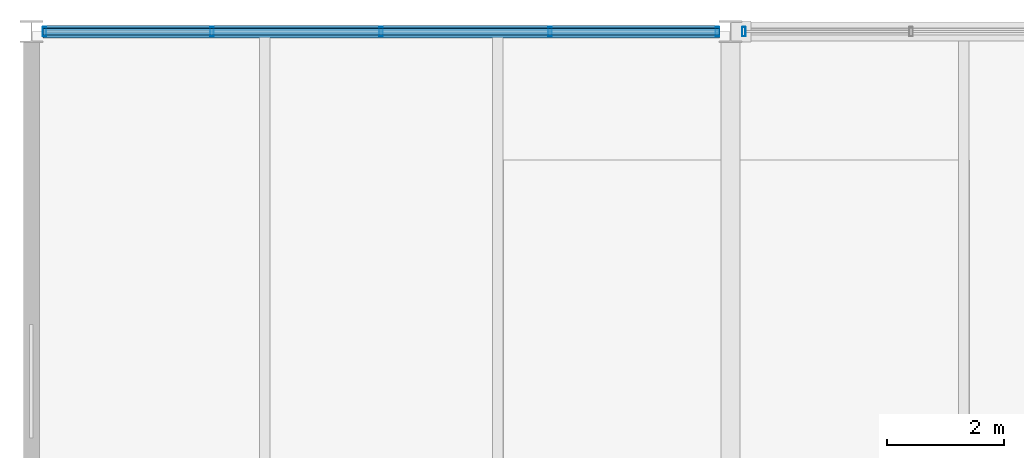
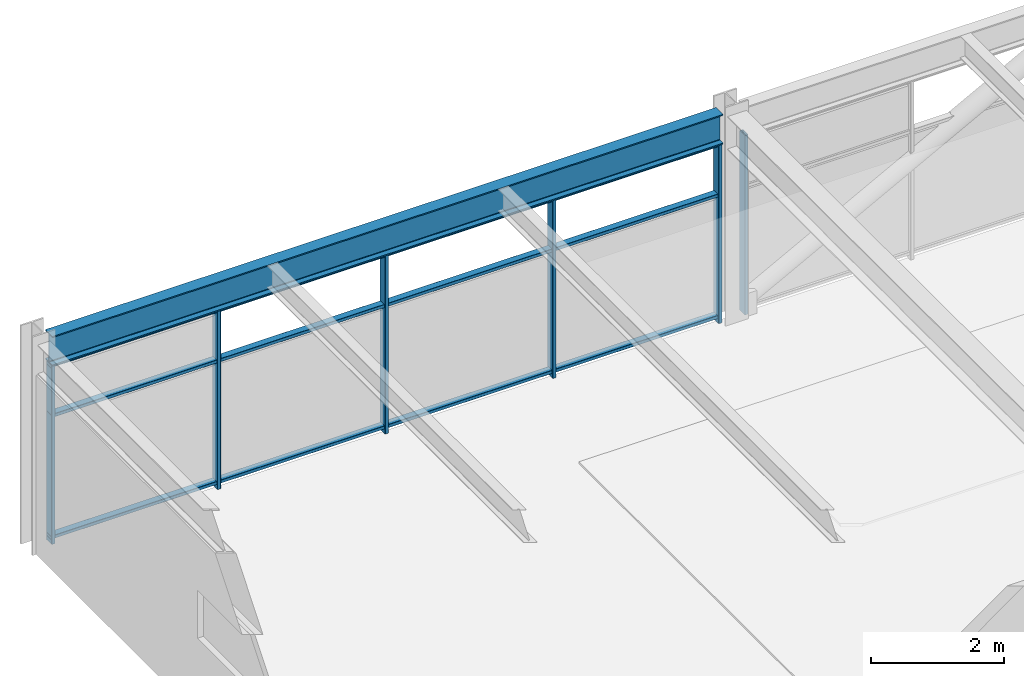
# One storey, part 18 of 51: 9 members, 1 beam, 2 elements without a shape of their own.
"""IFC4 building model written with IfcOpenShell, lengths in metres."""

from ifc_helpers import new_model, si_unit, direction, frame, origin, origin_2d, place, context, subcontext, project, spatial, hollow_rectangle, i_section, extrude, material, material_profile, profile_set, type_object, element, aggregate, save


model = new_model("IFC4")

# Units and contexts
model_context = context("Model", 3, precision=1e-05, world=origin(), true_north=direction((0.0, 1.0)))
body_context = subcontext(model_context, "Body", "Model", "MODEL_VIEW")
ifc_project = project(units=[si_unit("LENGTHUNIT", "METRE"), si_unit("AREAUNIT", "SQUARE_METRE"), si_unit("VOLUMEUNIT", "CUBIC_METRE"), si_unit("PLANEANGLEUNIT", "RADIAN"), si_unit("MASSUNIT", "GRAM", prefix="KILO")], contexts=[model_context])

# Site, building, storey
site_placement = place(None, origin())
site = spatial("IfcSite", under=ifc_project, at=site_placement, CompositionType="ELEMENT")
building_placement = place(site_placement, origin())
building = spatial("IfcBuilding", under=site, at=building_placement, Name="Girod Span Mobility Hub", CompositionType="ELEMENT")
storey_placement = place(building_placement, frame((0.0, 0.0, 41.60009765625)))
storey = spatial("IfcBuildingStorey", under=building, at=storey_placement, Name="L10", CompositionType="ELEMENT", Elevation=41.60009765625)

# Beam
ifc_material_1 = material(Name="Steel A992 Grade 50", Category="steel")
ifc_material_profile_1 = material_profile(ifc_material_1, i_section(OverallWidth=0.2119140625, OverallDepth=0.5439453125, WebThickness=0.01318359375, FlangeThickness=0.021240234375, FilletRadius=0.014892578125, at=origin_2d()), Name="W21X83")
ifc_profile_set_1 = profile_set([ifc_material_profile_1], Name="Steel A992 Grade 50")
beam_type = type_object("IfcBeamType", Name="BM-STL-W21X83", PredefinedType="SPANDREL", material=ifc_profile_set_1)
beam_placement = place(storey_placement, frame((24.194091796875, 69.0, 3.552978515625), z_axis=(1.0, 0.0, 0.0), x_axis=(0.0, 1.0, 0.0)))
element("IfcBeam", 1, at=beam_placement, inside=storey, type_object=beam_type, Name="Girder 3-4/F L10", PredefinedType="SPANDREL", context=body_context, shape_type="SweptSolid", body=[
    extrude(i_section(OverallWidth=0.2119140625, OverallDepth=0.5439453125, WebThickness=0.01318359375, FlangeThickness=0.021240234375, FilletRadius=0.014892578125, at=origin_2d()), origin(), (0.0, 0.0, 1.0), 11.61181640625),
])

# Curtain wall, members
ifc_material_2 = material(Name="Thermally Broken Anodised Aluminium", Category="aluminium")
curtain_wall_type = type_object("IfcCurtainWallType", Name="CW-1161X328", PredefinedType="USERDEFINED", material=ifc_material_2)
curtain_wall_1_placement = place(storey_placement, origin())
curtain_wall_1 = element("IfcCurtainWall", 2, at=curtain_wall_1_placement, inside=storey, type_object=curtain_wall_type, Name="Unitised Curtain Wall CW-L10-N03 L10", ObjectType="UNITISED CURTAIN WALL", PredefinedType="USERDEFINED")
ifc_material_3 = material(Name="Thermally Broken Anodised Aluminium", Category="aluminium")
ifc_material_profile_2 = material_profile(ifc_material_3, hollow_rectangle(XDim=0.159912109375, YDim=0.06005859375, WallThickness=0.00341796875, InnerFilletRadius=0.00341796875, OuterFilletRadius=0.007080078125, at=origin_2d()), Name="CW-ML-60X160")
ifc_profile_set_2 = profile_set([ifc_material_profile_2], Name="Thermally Broken Anodised Aluminium")
member_type_1 = type_object("IfcMemberType", Name="CWM-ML-3", PredefinedType="MULLION", material=ifc_profile_set_2)
member_1_placement = place(storey_placement, frame((24.22705078125, 69.0, 0.0), z_axis=(0.0, 0.0, 1.0), x_axis=(0.0, 1.0, 0.0)))
member_1 = element("IfcMember", 3, at=member_1_placement, type_object=member_type_1, Name="Curtain Wall Mullion CW-L10-N03-M0", PredefinedType="MULLION", context=body_context, shape_type="SweptSolid", body=[
    extrude(hollow_rectangle(XDim=0.159912109375, YDim=0.06005859375, WallThickness=0.00341796875, InnerFilletRadius=0.00341796875, OuterFilletRadius=0.007080078125, at=origin_2d()), origin(), (0.0, 0.0, 1.0), 3.281005859375),
])
member_2_placement = place(storey_placement, frame((27.097412109375, 69.0, 0.0), z_axis=(0.0, 0.0, 1.0), x_axis=(0.0, 1.0, 0.0)))
member_2 = element("IfcMember", 4, at=member_2_placement, type_object=member_type_1, Name="Curtain Wall Mullion CW-L10-N03-M1", PredefinedType="MULLION", context=body_context, shape_type="SweptSolid", body=[
    extrude(hollow_rectangle(XDim=0.159912109375, YDim=0.06005859375, WallThickness=0.00341796875, InnerFilletRadius=0.00341796875, OuterFilletRadius=0.007080078125, at=origin_2d()), origin(), (0.0, 0.0, 1.0), 3.281005859375),
])
member_3_placement = place(storey_placement, frame((30.0, 69.0, 0.0), z_axis=(0.0, 0.0, 1.0), x_axis=(0.0, 1.0, 0.0)))
member_3 = element("IfcMember", 5, at=member_3_placement, type_object=member_type_1, Name="Curtain Wall Mullion CW-L10-N03-M2", PredefinedType="MULLION", context=body_context, shape_type="SweptSolid", body=[
    extrude(hollow_rectangle(XDim=0.159912109375, YDim=0.06005859375, WallThickness=0.00341796875, InnerFilletRadius=0.00341796875, OuterFilletRadius=0.007080078125, at=origin_2d()), origin(), (0.0, 0.0, 1.0), 3.281005859375),
])
member_4_placement = place(storey_placement, frame((32.902587890625, 69.0, 0.0), z_axis=(0.0, 0.0, 1.0), x_axis=(0.0, 1.0, 0.0)))
member_4 = element("IfcMember", 6, at=member_4_placement, type_object=member_type_1, Name="Curtain Wall Mullion CW-L10-N03-M3", PredefinedType="MULLION", context=body_context, shape_type="SweptSolid", body=[
    extrude(hollow_rectangle(XDim=0.159912109375, YDim=0.06005859375, WallThickness=0.00341796875, InnerFilletRadius=0.00341796875, OuterFilletRadius=0.007080078125, at=origin_2d()), origin(), (0.0, 0.0, 1.0), 3.281005859375),
])
member_5_placement = place(storey_placement, frame((35.77294921875, 69.0, 0.0), z_axis=(0.0, 0.0, 1.0), x_axis=(0.0, 1.0, 0.0)))
member_5 = element("IfcMember", 7, at=member_5_placement, type_object=member_type_1, Name="Curtain Wall Mullion CW-L10-N03-M4", PredefinedType="MULLION", context=body_context, shape_type="SweptSolid", body=[
    extrude(hollow_rectangle(XDim=0.159912109375, YDim=0.06005859375, WallThickness=0.00341796875, InnerFilletRadius=0.00341796875, OuterFilletRadius=0.007080078125, at=origin_2d()), origin(), (0.0, 0.0, 1.0), 3.281005859375),
])

# Curtain wall, member
curtain_wall_2_placement = place(storey_placement, origin())
curtain_wall_2 = element("IfcCurtainWall", 8, at=curtain_wall_2_placement, inside=storey, type_object=curtain_wall_type, Name="Unitised Curtain Wall CW-L10-N04 L10", ObjectType="UNITISED CURTAIN WALL", PredefinedType="USERDEFINED")
member_6_placement = place(storey_placement, frame((36.22705078125, 69.0, 0.0), z_axis=(0.0, 0.0, 1.0), x_axis=(0.0, 1.0, 0.0)))
member_6 = element("IfcMember", 9, at=member_6_placement, type_object=member_type_1, Name="Curtain Wall Mullion CW-L10-N04-M0", PredefinedType="MULLION", context=body_context, shape_type="SweptSolid", body=[
    extrude(hollow_rectangle(XDim=0.159912109375, YDim=0.06005859375, WallThickness=0.00341796875, InnerFilletRadius=0.00341796875, OuterFilletRadius=0.007080078125, at=origin_2d()), origin(), (0.0, 0.0, 1.0), 3.281005859375),
])
aggregate(curtain_wall_2, [member_6])

# Member
ifc_material_4 = material(Name="Thermally Broken Anodised Aluminium", Category="aluminium")
ifc_material_profile_3 = material_profile(ifc_material_4, hollow_rectangle(XDim=0.1201171875, YDim=0.06005859375, WallThickness=0.00341796875, InnerFilletRadius=0.00341796875, OuterFilletRadius=0.007080078125, at=origin_2d()), Name="CW-TR-60X120")
ifc_profile_set_3 = profile_set([ifc_material_profile_3], Name="Thermally Broken Anodised Aluminium")
member_type_2 = type_object("IfcMemberType", Name="CWM-TR-3", PredefinedType="USERDEFINED", material=ifc_profile_set_3)
member_7_placement = place(storey_placement, frame((24.195068359375, 69.0, 0.10986328125), z_axis=(1.0, 0.0, 0.0), x_axis=(0.0, 1.0, 0.0)))
member_7 = element("IfcMember", 10, at=member_7_placement, type_object=member_type_2, Name="Curtain Wall Transom CW-L10-N03-T1", ObjectType="TRANSOM", PredefinedType="USERDEFINED", context=body_context, shape_type="SweptSolid", body=[
    extrude(hollow_rectangle(XDim=0.1201171875, YDim=0.06005859375, WallThickness=0.00341796875, InnerFilletRadius=0.00341796875, OuterFilletRadius=0.007080078125, at=origin_2d()), origin(), (0.0, 0.0, 1.0), 11.60986328125),
])

member_8_placement = place(storey_placement, frame((24.195068359375, 69.0, 2.332275390625), z_axis=(1.0, 0.0, 0.0), x_axis=(0.0, 1.0, 0.0)))
member_8 = element("IfcMember", 11, at=member_8_placement, type_object=member_type_2, Name="Curtain Wall Transom CW-L10-N03-T2", ObjectType="TRANSOM", PredefinedType="USERDEFINED", context=body_context, shape_type="SweptSolid", body=[
    extrude(hollow_rectangle(XDim=0.1201171875, YDim=0.06005859375, WallThickness=0.00341796875, InnerFilletRadius=0.00341796875, OuterFilletRadius=0.007080078125, at=origin_2d()), origin(), (0.0, 0.0, 1.0), 11.60986328125),
])

member_9_placement = place(storey_placement, frame((24.195068359375, 69.0, 3.2509765625), z_axis=(1.0, 0.0, 0.0), x_axis=(0.0, 1.0, 0.0)))
member_9 = element("IfcMember", 12, at=member_9_placement, type_object=member_type_2, Name="Curtain Wall Transom CW-L10-N03-T3", ObjectType="TRANSOM", PredefinedType="USERDEFINED", context=body_context, shape_type="SweptSolid", body=[
    extrude(hollow_rectangle(XDim=0.1201171875, YDim=0.06005859375, WallThickness=0.00341796875, InnerFilletRadius=0.00341796875, OuterFilletRadius=0.007080078125, at=origin_2d()), origin(), (0.0, 0.0, 1.0), 11.60986328125),
])

aggregate(curtain_wall_1, [member_1, member_2, member_3, member_4, member_5, member_7, member_8, member_9])

save(model, "model.ifc")
